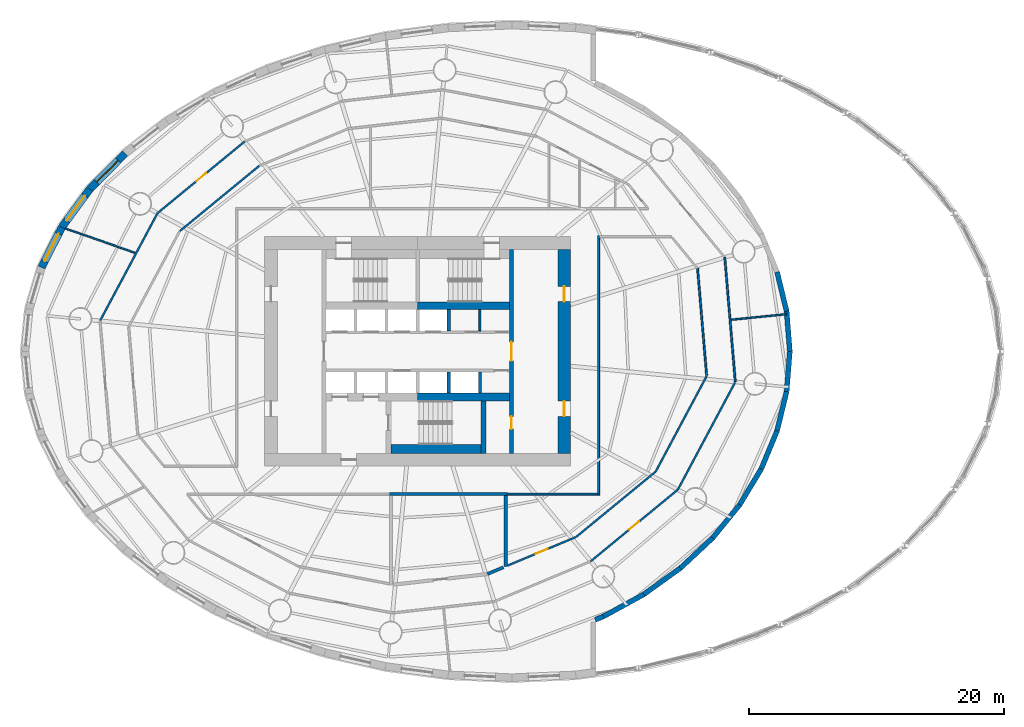
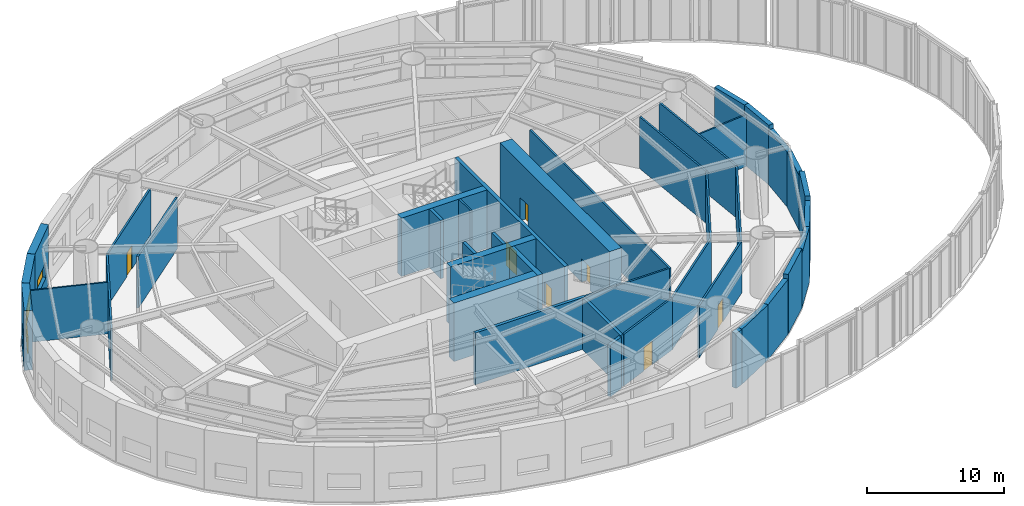
# One storey, part 16 of 19: 41 walls, 7 doors, 3 windows, 10 openings.
"""IFC4 building model written with IfcOpenShell, lengths in metres."""

from ifc_helpers import new_model, si_unit, direction, frame, frame_2d, origin, place, context, subcontext, project, spatial, rectangle, extrude, material, layer, layer_set, type_object, element, fill, save


model = new_model("IFC4")

# Units and contexts
model_context = context("Model", 3, precision=1e-05, world=origin(), true_north=direction((0.0, 1.0)))
body_context = subcontext(model_context, "Body", "Model", "MODEL_VIEW")
ifc_project = project(units=[si_unit("LENGTHUNIT", "METRE"), si_unit("AREAUNIT", "SQUARE_METRE"), si_unit("VOLUMEUNIT", "CUBIC_METRE"), si_unit("PLANEANGLEUNIT", "RADIAN"), si_unit("MASSUNIT", "GRAM", prefix="KILO")], contexts=[model_context])

# Site, building, storey
site_placement = place(None, origin())
site = spatial("IfcSite", under=ifc_project, at=site_placement, CompositionType="ELEMENT")
building_placement = place(site_placement, origin())
building = spatial("IfcBuilding", under=site, at=building_placement, Name="Vermilion Reach Broadcast Tower", CompositionType="ELEMENT")
storey_placement = place(building_placement, frame((0.0, 0.0, 26.0)))
storey = spatial("IfcBuildingStorey", under=building, at=storey_placement, Name="L03", CompositionType="ELEMENT", Elevation=26.0)

# Walls
ifc_material_1 = material(Name="Precast concrete C40/50 with acoustic cladding", Category="concrete")
ifc_layer_1 = layer(ifc_material_1, 0.39990234375)
ifc_layer_set_1 = layer_set([ifc_layer_1], Name="Atrium end wall 400")
wall_type_1 = type_object("IfcWallType", Name="Atrium end wall 400", PredefinedType="SOLIDWALL", material=ifc_layer_set_1)
wall_1_placement = place(storey_placement, frame((22.1982421875, 6.232421875, 0.0), z_axis=(0.0, 0.0, 1.0), x_axis=(0.235896812421, -0.97177810939, 0.0)))
element("IfcWall", 1, at=wall_1_placement, inside=storey, type_object=wall_type_1, Name="Podium wall L03 dru07", PredefinedType="SOLIDWALL", context=body_context, shape_type="SweptSolid", body=[
    extrude(rectangle(XDim=3.17822265625, YDim=0.39990234375, at=frame_2d((1.589111328125, 0.0))), origin(), (0.0, 0.0, 1.0), 5.300048828125),
])
wall_2_placement = place(storey_placement, frame((22.947998046875, 3.143798828125, 0.0), z_axis=(0.0, 0.0, 1.0), x_axis=(0.079732915346, -0.996816263015, 0.0)))
element("IfcWall", 2, at=wall_2_placement, inside=storey, type_object=wall_type_1, Name="Podium wall L03 dru08", PredefinedType="SOLIDWALL", context=body_context, shape_type="SweptSolid", body=[
    extrude(rectangle(XDim=3.15380859375, YDim=0.39990234375, at=frame_2d((1.576904296875, 0.0))), origin(), (0.0, 0.0, 1.0), 5.300048828125),
])
wall_3_placement = place(storey_placement, frame((22.1982421875, -6.232421875, 0.0), z_axis=(0.0, 0.0, 1.0), x_axis=(-0.382706172342, -0.923870112976, 0.0)))
element("IfcWall", 3, at=wall_3_placement, inside=storey, type_object=wall_type_1, Name="Podium wall L03 dru11", PredefinedType="SOLIDWALL", context=body_context, shape_type="SweptSolid", body=[
    extrude(rectangle(XDim=3.224853515625, YDim=0.39990234375, at=frame_2d((1.6123046875, 0.0))), origin(), (0.0, 0.0, 1.0), 5.300048828125),
])
wall_4_placement = place(storey_placement, frame((17.14013671875, -14.639892578125, 0.0), z_axis=(0.0, 0.0, 1.0), x_axis=(-0.730641209912, -0.682761614605, 0.0)))
element("IfcWall", 4, at=wall_4_placement, inside=storey, type_object=wall_type_1, Name="Podium wall L03 dru14", PredefinedType="SOLIDWALL", context=body_context, shape_type="SweptSolid", body=[
    extrude(rectangle(XDim=3.4521484375, YDim=0.39990234375, at=frame_2d((1.72607421875, 0.0))), origin(), (0.0, 0.0, 1.0), 5.300048828125),
])
ifc_material_2 = material(Name="Precast concrete C40/50 with acoustic cladding", Category="concrete")
ifc_layer_2 = layer(ifc_material_2, 0.39990234375)
ifc_layer_set_2 = layer_set([ifc_layer_2], Name="Atrium end wall 400, head 400 below soffit")
wall_type_2 = type_object("IfcWallType", Name="Atrium end wall 400, head 400 below soffit", PredefinedType="SOLIDWALL", material=ifc_layer_set_2)
wall_5_placement = place(storey_placement, frame((23.199462890625, 0.0, 0.0), z_axis=(0.0, 0.0, 1.0), x_axis=(-0.079732915346, -0.996816263015, 0.0)))
element("IfcWall", 5, at=wall_5_placement, inside=storey, type_object=wall_type_2, Name="Podium wall L03 dru09", PredefinedType="SOLIDWALL", context=body_context, shape_type="SweptSolid", body=[
    extrude(rectangle(XDim=3.15380859375, YDim=0.39990234375, at=frame_2d((1.576904296875, 0.0))), origin(), (0.0, 0.0, 1.0), 4.89990234375),
])
wall_6_placement = place(storey_placement, frame((22.947998046875, -3.143798828125, 0.0), z_axis=(0.0, 0.0, 1.0), x_axis=(-0.235896812421, -0.97177810939, 0.0)))
element("IfcWall", 6, at=wall_6_placement, inside=storey, type_object=wall_type_2, Name="Podium wall L03 dru10", PredefinedType="SOLIDWALL", context=body_context, shape_type="SweptSolid", body=[
    extrude(rectangle(XDim=3.17822265625, YDim=0.39990234375, at=frame_2d((1.589111328125, 0.0))), origin(), (0.0, 0.0, 1.0), 4.89990234375),
])
wall_7_placement = place(storey_placement, frame((20.964111328125, -9.211669921875, 0.0), z_axis=(0.0, 0.0, 1.0), x_axis=(-0.515586767828, -0.856837373625, 0.0)))
element("IfcWall", 7, at=wall_7_placement, inside=storey, type_object=wall_type_2, Name="Podium wall L03 dru12", PredefinedType="SOLIDWALL", context=body_context, shape_type="SweptSolid", body=[
    extrude(rectangle(XDim=3.28955078125, YDim=0.39990234375, at=frame_2d((1.644775390625, 0.0))), origin(), (0.0, 0.0, 1.0), 4.89990234375),
])
wall_8_placement = place(storey_placement, frame((19.26806640625, -12.0302734375, 0.0), z_axis=(0.0, 0.0, 1.0), x_axis=(-0.631953724698, -0.775006122453, 0.0)))
element("IfcWall", 8, at=wall_8_placement, inside=storey, type_object=wall_type_2, Name="Podium wall L03 dru13", PredefinedType="SOLIDWALL", context=body_context, shape_type="SweptSolid", body=[
    extrude(rectangle(XDim=3.3671875, YDim=0.39990234375, at=frame_2d((1.68359375, 0.0))), origin(), (0.0, 0.0, 1.0), 4.89990234375),
])
wall_9_placement = place(storey_placement, frame((14.617919921875, -16.996826171875, 0.0), z_axis=(0.0, 0.0, 1.0), x_axis=(-0.81205624831, -0.583579171648, 0.0)))
element("IfcWall", 9, at=wall_9_placement, inside=storey, type_object=wall_type_2, Name="Podium wall L03 dru15", PredefinedType="SOLIDWALL", context=body_context, shape_type="SweptSolid", body=[
    extrude(rectangle(XDim=3.5380859375, YDim=0.39990234375, at=frame_2d((1.76904296875, 0.0))), origin(), (0.0, 0.0, 1.0), 4.89990234375),
])
wall_10_placement = place(storey_placement, frame((11.744873046875, -19.0615234375, 0.0), z_axis=(0.0, 0.0, 1.0), x_axis=(-0.87711318505, -0.48028372928, 0.0)))
element("IfcWall", 10, at=wall_10_placement, inside=storey, type_object=wall_type_2, Name="Podium wall L03 dru16", PredefinedType="SOLIDWALL", context=body_context, shape_type="SweptSolid", body=[
    extrude(rectangle(XDim=3.61865234375, YDim=0.39990234375, at=frame_2d((1.809326171875, 0.0))), origin(), (0.0, 0.0, 1.0), 4.89990234375),
])
wall_11_placement = place(storey_placement, frame((8.57080078125, -20.799560546875, 0.0), z_axis=(0.0, 0.0, 1.0), x_axis=(-0.927141159757, -0.374712249444, 0.0)))
element("IfcWall", 11, at=wall_11_placement, inside=storey, type_object=wall_type_2, Name="Podium wall L03 dru17", PredefinedType="SOLIDWALL", context=body_context, shape_type="SweptSolid", body=[
    extrude(rectangle(XDim=0.696533203125, YDim=0.39990234375, at=frame_2d((0.34814453125, 0.0))), origin(), (0.0, 0.0, 1.0), 4.89990234375),
])

# Wall, openings, doors
ifc_material_3 = material(Name="Concrete C70", Category="concrete")
ifc_layer_3 = layer(ifc_material_3, 0.300048828125)
ifc_layer_set_3 = layer_set([ifc_layer_3], Name="Core inner wall 300 mm Concrete C70")
wall_type_3 = type_object("IfcWallType", Name="Core inner wall 300 mm Concrete C70", PredefinedType="SHEAR", material=ifc_layer_set_3)
wall_12_placement = place(storey_placement, frame((1.35009765625, -8.0, 0.0), z_axis=(0.0, 0.0, 1.0), x_axis=(0.0, 1.0, 0.0)))
wall_12 = element("IfcWall", 12, at=wall_12_placement, inside=storey, type_object=wall_type_3, Name="L03 core wall ewE", PredefinedType="SHEAR", context=body_context, shape_type="SweptSolid", body=[
    extrude(rectangle(XDim=16.0, YDim=0.300048828125, at=frame_2d((8.0, 0.0))), origin(), (0.0, 0.0, 1.0), 5.199951171875),
])
opening_1_placement = place(wall_12_placement, frame((1.909912109375, 0.0, 0.0)))
opening_1 = element("IfcOpeningElement", 13, at=opening_1_placement, cuts=wall_12, Name="Opening D05", PredefinedType="OPENING", context=body_context, shape_type="SweptSolid", body=[
    extrude(rectangle(XDim=1.0, YDim=2.10009765625, at=frame_2d((0.5, 1.050048828125))), frame((0.0, 0.159912109375, 0.0), z_axis=(0.0, -1.0, 0.0), x_axis=(1.0, 0.0, 0.0)), (0.0, 0.0, 1.0), 0.320068359375),
])
opening_2_placement = place(wall_12_placement, frame((7.25, 0.0, 0.0)))
opening_2 = element("IfcOpeningElement", 14, at=opening_2_placement, cuts=wall_12, Name="Opening D04", PredefinedType="OPENING", context=body_context, shape_type="SweptSolid", body=[
    extrude(rectangle(XDim=1.5, YDim=2.10009765625, at=frame_2d((0.75, 1.050048828125))), frame((0.0, 0.159912109375, 0.0), z_axis=(0.0, -1.0, 0.0), x_axis=(1.0, 0.0, 0.0)), (0.0, 0.0, 1.0), 0.320068359375),
])
ifc_material_4 = material(Name="Painted steel fire door", Category="steel")
door_type_1 = type_object("IfcDoorType", Name="Lift lobby door 1500 x 2100", OperationType="DOUBLE_DOOR_SINGLE_SWING", PredefinedType="NOTDEFINED", material=ifc_material_4)
door_1_placement = place(opening_2_placement, origin())
door_1 = element("IfcDoor", 15, at=door_1_placement, inside=storey, type_object=door_type_1, Name="L03 band door BE", OperationType="DOUBLE_DOOR_SINGLE_SWING", OverallHeight=2.10009765625, OverallWidth=1.5, PredefinedType="NOTDEFINED", context=body_context, shape_type="SweptSolid", body=[
    extrude(rectangle(XDim=1.5, YDim=2.10009765625, at=frame_2d((0.75, 1.050048828125))), frame((0.0, 0.02490234375, 0.0), z_axis=(0.0, -1.0, 0.0), x_axis=(1.0, 0.0, 0.0)), (0.0, 0.0, 1.0), 0.050048828125),
])
fill(opening_2, door_1)
ifc_material_5 = material(Name="Timber door", Category="wood")
door_type_2 = type_object("IfcDoorType", Name="Room door 1000 x 2100", OperationType="NOTDEFINED", PredefinedType="NOTDEFINED", material=ifc_material_5)
door_2_placement = place(opening_1_placement, origin())
door_2 = element("IfcDoor", 16, at=door_2_placement, inside=storey, type_object=door_type_2, Name="L03 door SER", OperationType="SINGLE_SWING_LEFT", OverallHeight=2.10009765625, OverallWidth=1.0, PredefinedType="NOTDEFINED", context=body_context, shape_type="SweptSolid", body=[
    extrude(rectangle(XDim=1.0, YDim=2.10009765625, at=frame_2d((0.5, 1.050048828125))), frame((0.0, 0.02490234375, 0.0), z_axis=(0.0, -1.0, 0.0), x_axis=(1.0, 0.0, 0.0)), (0.0, 0.0, 1.0), 0.050048828125),
])
fill(opening_1, door_2)

# Walls
ifc_material_6 = material(Name="Concrete C70", Category="concrete")
ifc_layer_4 = layer(ifc_material_6, 0.39990234375)
ifc_layer_set_4 = layer_set([ifc_layer_4], Name="Core inner wall 400 mm Concrete C70")
wall_type_4 = type_object("IfcWallType", Name="Core inner wall 400 mm Concrete C70", PredefinedType="SHEAR", material=ifc_layer_set_4)
wall_13_placement = place(storey_placement, frame((-0.85009765625, -3.8798828125, 0.0), z_axis=(0.0, 0.0, 1.0), x_axis=(0.0, -1.0, 0.0)))
element("IfcWall", 17, at=wall_13_placement, inside=storey, type_object=wall_type_4, Name="L03 core wall wb", PredefinedType="SHEAR", context=body_context, shape_type="SweptSolid", body=[
    extrude(rectangle(XDim=4.1201171875, YDim=0.39990234375, at=frame_2d((2.06005859375, 0.0))), origin(), (0.0, 0.0, 1.0), 5.199951171875),
])
ifc_material_7 = material(Name="Concrete C70", Category="concrete")
ifc_layer_5 = layer(ifc_material_7, 0.60009765625)
ifc_layer_set_5 = layer_set([ifc_layer_5], Name="Core inner wall 600 mm Concrete C70")
wall_type_5 = type_object("IfcWallType", Name="Core inner wall 600 mm Concrete C70", PredefinedType="SHEAR", material=ifc_layer_set_5)
for number, where, z_axis, x_axis, name in (
    (18, (-6.0, 3.580078125, 0.0), (0.0, 0.0, 1.0), (1.0, 0.0, 0.0), "L03 core wall winE"),
    (19, (-6.0, -3.580078125, 0.0), (0.0, 0.0, 1.0), (1.0, 0.0, 0.0), "L03 core wall wisE"),
):
    element("IfcWall", number, at=place(storey_placement, frame(where, z_axis=z_axis, x_axis=x_axis)), inside=storey, type_object=wall_type_5, Name=name, PredefinedType="SHEAR", context=body_context, shape_type="SweptSolid", body=[
        extrude(rectangle(XDim=7.199951171875, YDim=0.60009765625, at=frame_2d((3.60009765625, 0.0))), origin(), (0.0, 0.0, 1.0), 5.199951171875),
    ])

# Wall, openings, doors
ifc_material_8 = material(Name="Concrete C70", Category="concrete")
ifc_layer_6 = layer(ifc_material_8, 1.0)
ifc_layer_set_6 = layer_set([ifc_layer_6], Name="Core outer wall 1000 mm Concrete C70")
wall_type_6 = type_object("IfcWallType", Name="Core outer wall 1000 mm Concrete C70", PredefinedType="SHEAR", material=ifc_layer_set_6)
wall_14_placement = place(storey_placement, frame((5.5, -8.0, 0.0), z_axis=(0.0, 0.0, 1.0), x_axis=(0.0, 1.0, 0.0)))
wall_14 = element("IfcWall", 20, at=wall_14_placement, inside=storey, type_object=wall_type_6, Name="L03 core wall oe", PredefinedType="SHEAR", context=body_context, shape_type="SweptSolid", body=[
    extrude(rectangle(XDim=16.0, YDim=1.0, at=frame_2d((8.0, 0.0))), origin(), (0.0, 0.0, 1.0), 5.199951171875),
])
opening_3_placement = place(wall_14_placement, frame((2.89990234375, 0.0, 0.0)))
opening_3 = element("IfcOpeningElement", 21, at=opening_3_placement, cuts=wall_14, Name="Opening D03", PredefinedType="OPENING", context=body_context, shape_type="SweptSolid", body=[
    extrude(rectangle(XDim=1.199951171875, YDim=2.10009765625, at=frame_2d((0.60009765625, 1.050048828125))), frame((0.0, 0.510009765625, 0.0), z_axis=(0.0, -1.0, 0.0), x_axis=(1.0, 0.0, 0.0)), (0.0, 0.0, 1.0), 1.02001953125),
])
opening_4_placement = place(wall_14_placement, frame((11.89990234375, 0.0, 0.0)))
opening_4 = element("IfcOpeningElement", 22, at=opening_4_placement, cuts=wall_14, Name="Opening D03", PredefinedType="OPENING", context=body_context, shape_type="SweptSolid", body=[
    extrude(rectangle(XDim=1.199951171875, YDim=2.10009765625, at=frame_2d((0.60009765625, 1.050048828125))), frame((0.0, 0.510009765625, 0.0), z_axis=(0.0, -1.0, 0.0), x_axis=(1.0, 0.0, 0.0)), (0.0, 0.0, 1.0), 1.02001953125),
])
ifc_material_9 = material(Name="Painted steel fire door", Category="steel")
door_type_3 = type_object("IfcDoorType", Name="Core lobby door 1200 x 2100", OperationType="DOUBLE_DOOR_SINGLE_SWING", PredefinedType="NOTDEFINED", material=ifc_material_9)
door_3_placement = place(opening_3_placement, origin())
door_3 = element("IfcDoor", 23, at=door_3_placement, inside=storey, type_object=door_type_3, Name="L03 slot door E0", OperationType="DOUBLE_DOOR_SINGLE_SWING", OverallHeight=2.10009765625, OverallWidth=1.199951171875, PredefinedType="NOTDEFINED", context=body_context, shape_type="SweptSolid", body=[
    extrude(rectangle(XDim=1.199951171875, YDim=2.10009765625, at=frame_2d((0.60009765625, 1.050048828125))), frame((0.0, 0.02490234375, 0.0), z_axis=(0.0, -1.0, 0.0), x_axis=(1.0, 0.0, 0.0)), (0.0, 0.0, 1.0), 0.050048828125),
])
fill(opening_3, door_3)
door_4_placement = place(opening_4_placement, origin())
door_4 = element("IfcDoor", 24, at=door_4_placement, inside=storey, type_object=door_type_3, Name="L03 slot door E1", OperationType="DOUBLE_DOOR_SINGLE_SWING", OverallHeight=2.10009765625, OverallWidth=1.199951171875, PredefinedType="NOTDEFINED", context=body_context, shape_type="SweptSolid", body=[
    extrude(rectangle(XDim=1.199951171875, YDim=2.10009765625, at=frame_2d((0.60009765625, 1.050048828125))), frame((0.0, 0.02490234375, 0.0), z_axis=(0.0, -1.0, 0.0), x_axis=(1.0, 0.0, 0.0)), (0.0, 0.0, 1.0), 0.050048828125),
])
fill(opening_4, door_4)

# Walls
ifc_material_10 = material(Name="Masonry block", Category="masonry")
ifc_layer_7 = layer(ifc_material_10, 0.14990234375)
ifc_layer_set_7 = layer_set([ifc_layer_7], Name="Core partition wall 150 mm Masonry block")
wall_type_7 = type_object("IfcWallType", Name="Core partition wall 150 mm Masonry block", PredefinedType="PARTITIONING", material=ifc_layer_set_7)
wall_15_placement = place(storey_placement, frame((-1.11669921875, 1.60009765625, 0.0), z_axis=(0.0, 0.0, 1.0), x_axis=(0.0, 1.0, 0.0)))
element("IfcWall", 25, at=wall_15_placement, inside=storey, type_object=wall_type_7, Name="L03 core wall prN4883", PredefinedType="PARTITIONING", context=body_context, shape_type="SweptSolid", body=[
    extrude(rectangle(XDim=1.679931640625, YDim=0.14990234375, at=frame_2d((0.83984375, 0.0))), origin(), (0.0, 0.0, 1.0), 5.199951171875),
])
ifc_material_11 = material(Name="Concrete C50", Category="concrete")
ifc_layer_8 = layer(ifc_material_11, 0.25)
ifc_layer_set_8 = layer_set([ifc_layer_8], Name="Core shaft wall 250 mm Concrete C50")
wall_type_8 = type_object("IfcWallType", Name="Core shaft wall 250 mm Concrete C50", PredefinedType="SHEAR", material=ifc_layer_set_8)
for number, where, z_axis, x_axis, name in (
    (26, (-3.558349609375, 1.60009765625, 0.0), (0.0, 0.0, 1.0), (0.0, 1.0, 0.0), "L03 core wall psN3"),
    (27, (-3.558349609375, -1.60009765625, 0.0), (0.0, 0.0, 1.0), (0.0, -1.0, 0.0), "L03 core wall psS3"),
    (28, (-1.11669921875, -1.60009765625, 0.0), (0.0, 0.0, 1.0), (0.0, -1.0, 0.0), "L03 core wall psS4"),
):
    element("IfcWall", number, at=place(storey_placement, frame(where, z_axis=z_axis, x_axis=x_axis)), inside=storey, type_object=wall_type_8, Name=name, PredefinedType="SHEAR", context=body_context, shape_type="SweptSolid", body=[
        extrude(rectangle(XDim=1.679931640625, YDim=0.25, at=frame_2d((0.83984375, 0.0))), origin(), (0.0, 0.0, 1.0), 5.199951171875),
    ])
ifc_material_12 = material(Name="Concrete C70", Category="concrete")
ifc_layer_9 = layer(ifc_material_12, 0.699951171875)
ifc_layer_set_9 = layer_set([ifc_layer_9], Name="Core stair wall 700 mm Concrete C70")
wall_type_9 = type_object("IfcWallType", Name="Core stair wall 700 mm Concrete C70", PredefinedType="SHEAR", material=ifc_layer_set_9)
wall_16_placement = place(storey_placement, frame((-8.10009765625, -7.64990234375, 0.0), z_axis=(0.0, 0.0, 1.0), x_axis=(1.0, 0.0, 0.0)))
element("IfcWall", 29, at=wall_16_placement, inside=storey, type_object=wall_type_9, Name="L03 core wall l3", PredefinedType="SHEAR", context=body_context, shape_type="SweptSolid", body=[
    extrude(rectangle(XDim=7.050048828125, YDim=0.699951171875, at=frame_2d((3.52490234375, 0.0))), origin(), (0.0, 0.0, 1.0), 5.199951171875),
])
ifc_material_13 = material(Name="Gypsum board partition")
ifc_layer_10 = layer(ifc_material_13, 0.14990234375)
ifc_layer_set_10 = layer_set([ifc_layer_10], Name="Corridor wall 150")
wall_type_10 = type_object("IfcWallType", Name="Corridor wall 150", PredefinedType="PARTITIONING", material=ifc_layer_set_10)
wall_17_placement = place(storey_placement, frame((1.02734375, -11.199951171875, 0.0), z_axis=(0.0, 0.0, 1.0), x_axis=(1.0, 0.0, 0.0)))
element("IfcWall", 30, at=wall_17_placement, inside=storey, type_object=wall_type_10, Name="sp.wall.L03.003", PredefinedType="PARTITIONING", context=body_context, shape_type="SweptSolid", body=[
    extrude(rectangle(XDim=7.09765625, YDim=0.14990234375, at=frame_2d((3.548828125, 0.0))), origin(), (0.0, 0.0, 1.0), 4.60009765625),
])
wall_18_placement = place(storey_placement, frame((8.199951171875, -11.27490234375, 0.0), z_axis=(0.0, 0.0, 1.0), x_axis=(0.0, 1.0, 0.0)))
element("IfcWall", 31, at=wall_18_placement, inside=storey, type_object=wall_type_10, Name="sp.wall.L03.005", PredefinedType="PARTITIONING", context=body_context, shape_type="SweptSolid", body=[
    extrude(rectangle(XDim=20.35009765625, YDim=0.14990234375, at=frame_2d((10.175048828125, 0.0))), origin(), (0.0, 0.0, 1.0), 4.60009765625),
])
wall_19_placement = place(storey_placement, frame((-24.652099609375, 9.446044921875, 0.0), z_axis=(0.0, 0.0, 1.0), x_axis=(0.772569565922, 0.634930126716, 0.0)))
element("IfcWall", 32, at=wall_19_placement, inside=storey, type_object=wall_type_10, Name="sp.wall.L03.018", PredefinedType="PARTITIONING", context=body_context, shape_type="SweptSolid", body=[
    extrude(rectangle(XDim=8.052978515625, YDim=0.14990234375, at=frame_2d((4.0263671875, 0.0))), origin(), (0.0, 0.0, 1.0), 4.60009765625),
])

# Wall, opening, door
wall_20_placement = place(storey_placement, frame((1.056640625, -16.802490234375, 0.0), z_axis=(0.0, 0.0, 1.0), x_axis=(0.922820205479, 0.385230928612, 0.0)))
wall_20 = element("IfcWall", 33, at=wall_20_placement, inside=storey, type_object=wall_type_10, Name="sp.wall.L03.029", PredefinedType="PARTITIONING", context=body_context, shape_type="SweptSolid", body=[
    extrude(rectangle(XDim=5.80078125, YDim=0.14990234375, at=frame_2d((2.900390625, 0.0))), origin(), (0.0, 0.0, 1.0), 4.60009765625),
])
opening_5_placement = place(wall_20_placement, frame((2.400390625, 0.0, 0.0)))
opening_5 = element("IfcOpeningElement", 34, at=opening_5_placement, cuts=wall_20, Name="Opening D50", PredefinedType="OPENING", context=body_context, shape_type="SweptSolid", body=[
    extrude(rectangle(XDim=1.0, YDim=2.10009765625, at=frame_2d((0.5, 1.050048828125))), frame((0.0, 0.0849609375, 0.0), z_axis=(0.0, -1.0, 0.0), x_axis=(1.0, 0.0, 0.0)), (0.0, 0.0, 1.0), 0.169921875),
])
ifc_material_14 = material(Name="Timber and steel door set", Category="steel")
door_type_4 = type_object("IfcDoorType", Name="Door 1000x2100", OperationType="NOTDEFINED", PredefinedType="DOOR", material=ifc_material_14)
door_5_placement = place(opening_5_placement, origin())
door_5 = element("IfcDoor", 35, at=door_5_placement, inside=storey, type_object=door_type_4, Name="sp.door.L03.007", OperationType="SINGLE_SWING_RIGHT", OverallHeight=2.10009765625, OverallWidth=1.0, PredefinedType="DOOR", context=body_context, shape_type="SweptSolid", body=[
    extrude(rectangle(XDim=1.0, YDim=2.10009765625, at=frame_2d((0.5, 1.050048828125))), frame((0.0, 0.02490234375, 0.0), z_axis=(0.0, -1.0, 0.0), x_axis=(1.0, 0.0, 0.0)), (0.0, 0.0, 1.0), 0.050048828125),
])
fill(opening_5, door_5)

# Walls
wall_21_placement = place(storey_placement, frame((15.958984375, 6.50244140625, 0.0), z_axis=(0.0, 0.0, 1.0), x_axis=(0.084490422104, -0.99642429144, 0.0)))
element("IfcWall", 36, at=wall_21_placement, inside=storey, type_object=wall_type_10, Name="sp.wall.L03.030", PredefinedType="PARTITIONING", context=body_context, shape_type="SweptSolid", body=[
    extrude(rectangle(XDim=8.417236328125, YDim=0.14990234375, at=frame_2d((4.20849609375, 0.0))), origin(), (0.0, 0.0, 1.0), 4.60009765625),
])
wall_22_placement = place(storey_placement, frame((12.676025390625, -9.426513671875, 0.0), z_axis=(0.0, 0.0, 1.0), x_axis=(0.470743396375, 0.882270171076, 0.0)))
element("IfcWall", 37, at=wall_22_placement, inside=storey, type_object=wall_type_10, Name="sp.wall.L03.031", PredefinedType="PARTITIONING", context=body_context, shape_type="SweptSolid", body=[
    extrude(rectangle(XDim=8.4931640625, YDim=0.14990234375, at=frame_2d((4.24658203125, 0.0))), origin(), (0.0, 0.0, 1.0), 4.60009765625),
])
wall_23_placement = place(storey_placement, frame((6.4306640625, -14.55908203125, 0.0), z_axis=(0.0, 0.0, 1.0), x_axis=(0.772569565922, 0.634930126716, 0.0)))
element("IfcWall", 38, at=wall_23_placement, inside=storey, type_object=wall_type_10, Name="sp.wall.L03.032", PredefinedType="PARTITIONING", context=body_context, shape_type="SweptSolid", body=[
    extrude(rectangle(XDim=8.052978515625, YDim=0.14990234375, at=frame_2d((4.0263671875, 0.0))), origin(), (0.0, 0.0, 1.0), 4.60009765625),
])
wall_24_placement = place(storey_placement, frame((18.09326171875, 7.37060546875, 0.0), z_axis=(0.0, 0.0, 1.0), x_axis=(0.084469905026, -0.996426030945, 0.0)))
element("IfcWall", 39, at=wall_24_placement, inside=storey, type_object=wall_type_10, Name="sp.wall.L03.036", PredefinedType="PARTITIONING", context=body_context, shape_type="SweptSolid", body=[
    extrude(rectangle(XDim=9.80078125, YDim=0.14990234375, at=frame_2d((4.900390625, 0.0))), origin(), (0.0, 0.0, 1.0), 4.60009765625),
])

# Wall, opening, door
wall_25_placement = place(storey_placement, frame((-19.5771484375, 16.464599609375, 0.0), z_axis=(0.0, 0.0, 1.0), x_axis=(-0.772575830308, -0.634922504266, 0.0)))
wall_25 = element("IfcWall", 40, at=wall_25_placement, inside=storey, type_object=wall_type_10, Name="sp.wall.L03.043", PredefinedType="PARTITIONING", context=body_context, shape_type="SweptSolid", body=[
    extrude(rectangle(XDim=8.814697265625, YDim=0.14990234375, at=frame_2d((4.4072265625, 0.0))), origin(), (0.0, 0.0, 1.0), 4.60009765625),
])
opening_6_placement = place(wall_25_placement, frame((3.9072265625, 0.0, 0.0)))
opening_6 = element("IfcOpeningElement", 41, at=opening_6_placement, cuts=wall_25, Name="Opening D50", PredefinedType="OPENING", context=body_context, shape_type="SweptSolid", body=[
    extrude(rectangle(XDim=1.0, YDim=2.10009765625, at=frame_2d((0.5, 1.050048828125))), frame((0.0, 0.0849609375, 0.0), z_axis=(0.0, -1.0, 0.0), x_axis=(1.0, 0.0, 0.0)), (0.0, 0.0, 1.0), 0.169921875),
])
door_6_placement = place(opening_6_placement, origin())
door_6 = element("IfcDoor", 42, at=door_6_placement, inside=storey, type_object=door_type_4, Name="sp.door.L03.009", OperationType="SINGLE_SWING_RIGHT", OverallHeight=2.10009765625, OverallWidth=1.0, PredefinedType="DOOR", context=body_context, shape_type="SweptSolid", body=[
    extrude(rectangle(XDim=1.0, YDim=2.10009765625, at=frame_2d((0.5, 1.050048828125))), frame((0.0, 0.02490234375, 0.0), z_axis=(0.0, -1.0, 0.0), x_axis=(1.0, 0.0, 0.0)), (0.0, 0.0, 1.0), 0.050048828125),
])
fill(opening_6, door_6)

# Wall
wall_26_placement = place(storey_placement, frame((-30.8984375, 2.43798828125, 0.0), z_axis=(0.0, 0.0, 1.0), x_axis=(0.470742429837, 0.88227068678, 0.0)))
element("IfcWall", 43, at=wall_26_placement, inside=storey, type_object=wall_type_10, Name="sp.wall.L03.044", PredefinedType="PARTITIONING", context=body_context, shape_type="SweptSolid", body=[
    extrude(rectangle(XDim=9.532470703125, YDim=0.14990234375, at=frame_2d((4.76611328125, 0.0))), origin(), (0.0, 0.0, 1.0), 4.60009765625),
])

# Wall, opening, door
wall_27_placement = place(storey_placement, frame((7.5771484375, -16.464599609375, 0.0), z_axis=(0.0, 0.0, 1.0), x_axis=(0.772575830308, 0.634922504266, 0.0)))
wall_27 = element("IfcWall", 44, at=wall_27_placement, inside=storey, type_object=wall_type_10, Name="sp.wall.L03.052", PredefinedType="PARTITIONING", context=body_context, shape_type="SweptSolid", body=[
    extrude(rectangle(XDim=8.814697265625, YDim=0.14990234375, at=frame_2d((4.4072265625, 0.0))), origin(), (0.0, 0.0, 1.0), 4.60009765625),
])
opening_7_placement = place(wall_27_placement, frame((3.9072265625, 0.0, 0.0)))
opening_7 = element("IfcOpeningElement", 45, at=opening_7_placement, cuts=wall_27, Name="Opening D50", PredefinedType="OPENING", context=body_context, shape_type="SweptSolid", body=[
    extrude(rectangle(XDim=1.0, YDim=2.10009765625, at=frame_2d((0.5, 1.050048828125))), frame((0.0, 0.0849609375, 0.0), z_axis=(0.0, -1.0, 0.0), x_axis=(1.0, 0.0, 0.0)), (0.0, 0.0, 1.0), 0.169921875),
])
door_7_placement = place(opening_7_placement, origin())
door_7 = element("IfcDoor", 46, at=door_7_placement, inside=storey, type_object=door_type_4, Name="sp.door.L03.012", OperationType="SINGLE_SWING_RIGHT", OverallHeight=2.10009765625, OverallWidth=1.0, PredefinedType="DOOR", context=body_context, shape_type="SweptSolid", body=[
    extrude(rectangle(XDim=1.0, YDim=2.10009765625, at=frame_2d((0.5, 1.050048828125))), frame((0.0, 0.02490234375, 0.0), z_axis=(0.0, -1.0, 0.0), x_axis=(1.0, 0.0, 0.0)), (0.0, 0.0, 1.0), 0.050048828125),
])
fill(opening_7, door_7)

# Walls
wall_28_placement = place(storey_placement, frame((14.4111328125, -10.84814453125, 0.0), z_axis=(0.0, 0.0, 1.0), x_axis=(0.470742429837, 0.88227068678, 0.0)))
element("IfcWall", 47, at=wall_28_placement, inside=storey, type_object=wall_type_10, Name="sp.wall.L03.053", PredefinedType="PARTITIONING", context=body_context, shape_type="SweptSolid", body=[
    extrude(rectangle(XDim=9.532470703125, YDim=0.14990234375, at=frame_2d((4.76611328125, 0.0))), origin(), (0.0, 0.0, 1.0), 4.60009765625),
])
ifc_material_15 = material(Name="Gypsum board partition")
ifc_layer_11 = layer(ifc_material_15, 0.125)
ifc_layer_set_11 = layer_set([ifc_layer_11], Name="Partition 125 plasterboard")
wall_type_11 = type_object("IfcWallType", Name="Partition 125 plasterboard", PredefinedType="PARTITIONING", material=ifc_layer_set_11)
wall_29_placement = place(storey_placement, frame((18.584228515625, 2.479736328125, 0.0), z_axis=(0.0, 0.0, 1.0), x_axis=(0.994950329661, 0.100368528474, 0.0)))
element("IfcWall", 48, at=wall_29_placement, inside=storey, type_object=wall_type_11, Name="sp.wall.L03.035", PredefinedType="PARTITIONING", context=body_context, shape_type="SweptSolid", body=[
    extrude(rectangle(XDim=4.38818359375, YDim=0.125, at=frame_2d((2.194091796875, 0.0))), origin(), (0.0, 0.0, 1.0), 4.60009765625),
])
wall_30_placement = place(storey_placement, frame((-33.625732421875, 9.63720703125, 0.0), z_axis=(0.0, 0.0, 1.0), x_axis=(0.944198348273, -0.329377411368, 0.0)))
element("IfcWall", 49, at=wall_30_placement, inside=storey, type_object=wall_type_11, Name="sp.wall.L03.041", PredefinedType="PARTITIONING", context=body_context, shape_type="SweptSolid", body=[
    extrude(rectangle(XDim=5.779296875, YDim=0.125, at=frame_2d((2.8896484375, 0.0))), origin(), (0.0, 0.0, 1.0), 4.60009765625),
])

# Wall, opening, window
ifc_material_16 = material(Name="Precast concrete C40/50 with acoustic cladding", Category="concrete")
ifc_layer_12 = layer(ifc_material_16, 0.60009765625)
ifc_layer_set_12 = layer_set([ifc_layer_12], Name="Podium acoustic wall 600")
wall_type_12 = type_object("IfcWallType", Name="Podium acoustic wall 600", PredefinedType="SOLIDWALL", material=ifc_layer_set_12)
wall_31_placement = place(storey_placement, frame((-28.95947265625, 15.527099609375, 0.0), z_axis=(0.0, 0.0, 1.0), x_axis=(-0.704303183564, -0.709899306678, 0.0)))
wall_31 = element("IfcWall", 50, at=wall_31_placement, inside=storey, type_object=wall_type_12, Name="Podium wall L03 str09", PredefinedType="SOLIDWALL", context=body_context, shape_type="SweptSolid", body=[
    extrude(rectangle(XDim=3.926513671875, YDim=0.60009765625, at=frame_2d((1.96337890625, 0.0))), origin(), (0.0, 0.0, 1.0), 5.300048828125),
])
opening_8_placement = place(wall_31_placement, frame((0.76318359375, 0.0, 1.10009765625)))
opening_8 = element("IfcOpeningElement", 51, at=opening_8_placement, cuts=wall_31, Name="Opening W11", PredefinedType="OPENING", context=body_context, shape_type="SweptSolid", body=[
    extrude(rectangle(XDim=2.39990234375, YDim=1.39990234375, at=frame_2d((1.199951171875, 0.699951171875))), frame((0.0, 0.31005859375, 0.0), z_axis=(0.0, -1.0, 0.0), x_axis=(1.0, 0.0, 0.0)), (0.0, 0.0, 1.0), 0.6201171875),
])
ifc_material_17 = material(Name="Acoustic laminated glass in aluminium frame", Category="aluminium")
window_type = type_object("IfcWindowType", Name="Control room window 2400 x 1400", PartitioningType="SINGLE_PANEL", PredefinedType="WINDOW", material=ifc_material_17)
window_1_placement = place(opening_8_placement, origin())
window_1 = element("IfcWindow", 52, at=window_1_placement, inside=storey, type_object=window_type, Name="Window L03 09", OverallHeight=1.39990234375, OverallWidth=2.39990234375, PartitioningType="SINGLE_PANEL", PredefinedType="WINDOW", context=body_context, shape_type="SweptSolid", body=[
    extrude(rectangle(XDim=2.39990234375, YDim=1.39990234375, at=frame_2d((1.199951171875, 0.699951171875))), frame((0.0, 0.030029296875, 0.0), z_axis=(0.0, -1.0, 0.0), x_axis=(1.0, 0.0, 0.0)), (0.0, 0.0, 1.0), 0.06005859375),
])
fill(opening_8, window_1)

wall_32_placement = place(storey_placement, frame((-31.724853515625, 12.73974609375, 0.0), z_axis=(0.0, 0.0, 1.0), x_axis=(-0.59073426953, -0.806866174035, 0.0)))
wall_32 = element("IfcWall", 53, at=wall_32_placement, inside=storey, type_object=wall_type_12, Name="Podium wall L03 str10", PredefinedType="SOLIDWALL", context=body_context, shape_type="SweptSolid", body=[
    extrude(rectangle(XDim=3.717529296875, YDim=0.60009765625, at=frame_2d((1.85888671875, 0.0))), origin(), (0.0, 0.0, 1.0), 5.300048828125),
])
opening_9_placement = place(wall_32_placement, frame((0.65869140625, 0.0, 1.10009765625)))
opening_9 = element("IfcOpeningElement", 54, at=opening_9_placement, cuts=wall_32, Name="Opening W11", PredefinedType="OPENING", context=body_context, shape_type="SweptSolid", body=[
    extrude(rectangle(XDim=2.39990234375, YDim=1.39990234375, at=frame_2d((1.199951171875, 0.699951171875))), frame((0.0, 0.31005859375, 0.0), z_axis=(0.0, -1.0, 0.0), x_axis=(1.0, 0.0, 0.0)), (0.0, 0.0, 1.0), 0.6201171875),
])
window_2_placement = place(opening_9_placement, origin())
window_2 = element("IfcWindow", 55, at=window_2_placement, inside=storey, type_object=window_type, Name="Window L03 10", OverallHeight=1.39990234375, OverallWidth=2.39990234375, PartitioningType="SINGLE_PANEL", PredefinedType="WINDOW", context=body_context, shape_type="SweptSolid", body=[
    extrude(rectangle(XDim=2.39990234375, YDim=1.39990234375, at=frame_2d((1.199951171875, 0.699951171875))), frame((0.0, 0.030029296875, 0.0), z_axis=(0.0, -1.0, 0.0), x_axis=(1.0, 0.0, 0.0)), (0.0, 0.0, 1.0), 0.06005859375),
])
fill(opening_9, window_2)

wall_33_placement = place(storey_placement, frame((-33.9208984375, 9.740234375, 0.0), z_axis=(0.0, 0.0, 1.0), x_axis=(-0.450137579264, -0.892959215045, 0.0)))
wall_33 = element("IfcWall", 56, at=wall_33_placement, inside=storey, type_object=wall_type_12, Name="Podium wall L03 str11", PredefinedType="SOLIDWALL", context=body_context, shape_type="SweptSolid", body=[
    extrude(rectangle(XDim=3.537353515625, YDim=0.60009765625, at=frame_2d((1.7685546875, 0.0))), origin(), (0.0, 0.0, 1.0), 5.300048828125),
])
opening_10_placement = place(wall_33_placement, frame((0.568603515625, 0.0, 1.10009765625)))
opening_10 = element("IfcOpeningElement", 57, at=opening_10_placement, cuts=wall_33, Name="Opening W11", PredefinedType="OPENING", context=body_context, shape_type="SweptSolid", body=[
    extrude(rectangle(XDim=2.39990234375, YDim=1.39990234375, at=frame_2d((1.199951171875, 0.699951171875))), frame((0.0, 0.31005859375, 0.0), z_axis=(0.0, -1.0, 0.0), x_axis=(1.0, 0.0, 0.0)), (0.0, 0.0, 1.0), 0.6201171875),
])
window_3_placement = place(opening_10_placement, origin())
window_3 = element("IfcWindow", 58, at=window_3_placement, inside=storey, type_object=window_type, Name="Window L03 11", OverallHeight=1.39990234375, OverallWidth=2.39990234375, PartitioningType="SINGLE_PANEL", PredefinedType="WINDOW", context=body_context, shape_type="SweptSolid", body=[
    extrude(rectangle(XDim=2.39990234375, YDim=1.39990234375, at=frame_2d((1.199951171875, 0.699951171875))), frame((0.0, 0.030029296875, 0.0), z_axis=(0.0, -1.0, 0.0), x_axis=(1.0, 0.0, 0.0)), (0.0, 0.0, 1.0), 0.06005859375),
])
fill(opening_10, window_3)

# Walls
ifc_material_18 = material(Name="Gypsum board shaft wall")
ifc_layer_13 = layer(ifc_material_18, 0.25)
ifc_layer_set_13 = layer_set([ifc_layer_13], Name="Server room wall 250")
wall_type_13 = type_object("IfcWallType", Name="Server room wall 250", PredefinedType="PARTITIONING", material=ifc_layer_set_13)
wall_34_placement = place(storey_placement, frame((-8.22265625, -11.199951171875, 0.0), z_axis=(0.0, 0.0, 1.0), x_axis=(1.0, 0.0, 0.0)))
element("IfcWall", 59, at=wall_34_placement, inside=storey, type_object=wall_type_13, Name="sp.wall.L03.004", PredefinedType="PARTITIONING", context=body_context, shape_type="SweptSolid", body=[
    extrude(rectangle(XDim=9.25048828125, YDim=0.25, at=frame_2d((4.625244140625, 0.0))), origin(), (0.0, 0.0, 1.0), 4.60009765625),
])
wall_35_placement = place(storey_placement, frame((0.902587890625, -16.86669921875, 0.0), z_axis=(0.0, 0.0, 1.0), x_axis=(0.0, 1.0, 0.0)))
element("IfcWall", 60, at=wall_35_placement, inside=storey, type_object=wall_type_13, Name="sp.wall.L03.026", PredefinedType="PARTITIONING", context=body_context, shape_type="SweptSolid", body=[
    extrude(rectangle(XDim=5.541748046875, YDim=0.25, at=frame_2d((2.77099609375, 0.0))), origin(), (0.0, 0.0, 1.0), 4.60009765625),
])
wall_36_placement = place(storey_placement, frame((-0.52001953125, -17.460693359375, 0.0), z_axis=(0.0, 0.0, 1.0), x_axis=(0.922788606811, 0.38530661445, 0.0)))
element("IfcWall", 61, at=wall_36_placement, inside=storey, type_object=wall_type_13, Name="sp.wall.L03.028", PredefinedType="PARTITIONING", context=body_context, shape_type="SweptSolid", body=[
    extrude(rectangle(XDim=1.35400390625, YDim=0.25, at=frame_2d((0.677001953125, 0.0))), origin(), (0.0, 0.0, 1.0), 4.60009765625),
])

save(model, "model.ifc")
